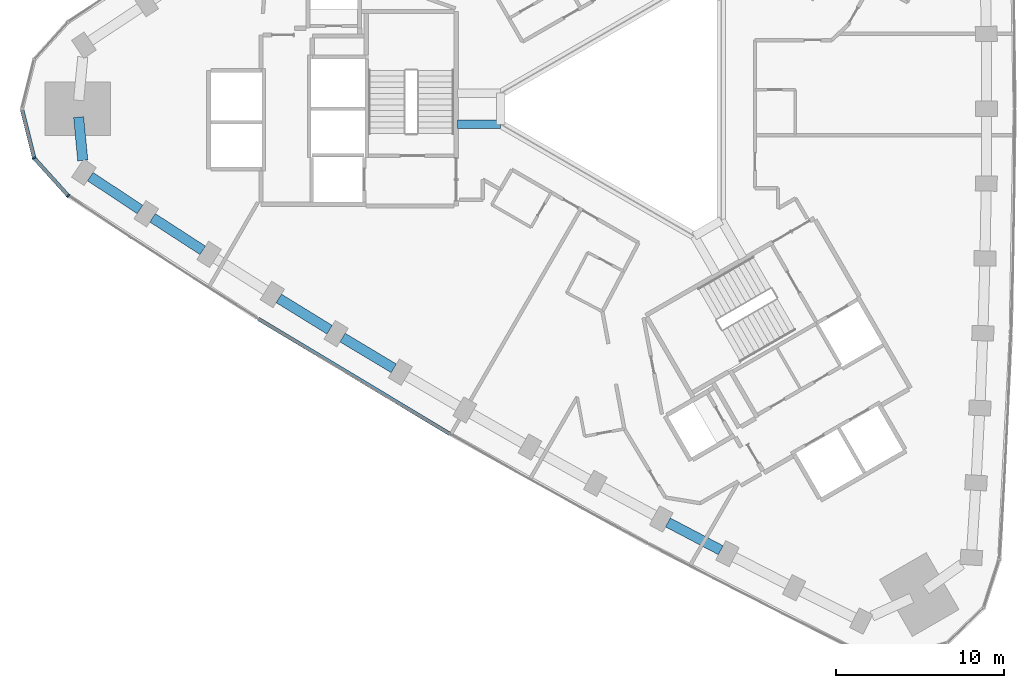
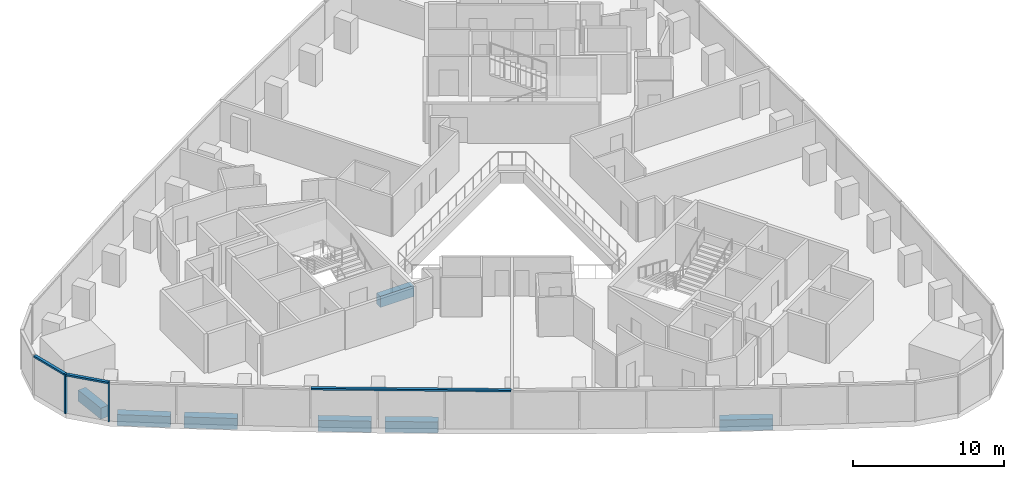
# One storey, part 2 of 12: 7 beams, 5 members, 2 elements without a shape of their own.
"""IFC4 building model written with IfcOpenShell, lengths in metres."""

from ifc_helpers import new_model, si_unit, direction, frame, origin, origin_2d, place, context, subcontext, project, spatial, rectangle, extrude, material, material_profile, profile_set, type_object, element, aggregate, save


model = new_model("IFC4")

# Units and contexts
model_context = context("Model", 3, precision=1e-05, world=origin(), true_north=direction((0.0, 1.0)))
body_context = subcontext(model_context, "Body", "Model", "MODEL_VIEW")
ifc_project = project(units=[si_unit("LENGTHUNIT", "METRE"), si_unit("AREAUNIT", "SQUARE_METRE"), si_unit("VOLUMEUNIT", "CUBIC_METRE"), si_unit("PLANEANGLEUNIT", "RADIAN"), si_unit("MASSUNIT", "GRAM", prefix="KILO")], contexts=[model_context])

# Site, building, storey
site_placement = place(None, origin())
site = spatial("IfcSite", under=ifc_project, at=site_placement, CompositionType="ELEMENT")
building_placement = place(site_placement, origin())
building = spatial("IfcBuilding", under=site, at=building_placement, Name="Tamra Quay Hotel Tower", CompositionType="ELEMENT")
storey_placement = place(building_placement, frame((0.0, 0.0, 115.39990234375)))
storey = spatial("IfcBuildingStorey", under=building, at=storey_placement, Name="L28", CompositionType="ELEMENT", Elevation=115.39990234375)

# Beam
ifc_material_1 = material(Name="Concrete M60", Category="concrete")
ifc_material_profile_1 = material_profile(ifc_material_1, rectangle(XDim=0.5, YDim=0.89990234375, at=origin_2d()), Name="ATRIUM TIE BEAM RC 500x900")
ifc_profile_set_1 = profile_set([ifc_material_profile_1], Name="Concrete M60")
beam_type_1 = type_object("IfcBeamType", Name="ATRIUM TIE BEAM RC 500x900", PredefinedType="BEAM", material=ifc_profile_set_1)
beam_1_placement = place(storey_placement, frame((-8.199951171875, -0.923828125, -0.875), z_axis=(-1.0, 0.0, 0.0), x_axis=(0.0, -1.0, 0.0)))
element("IfcBeam", 1, at=beam_1_placement, inside=storey, type_object=beam_type_1, Name="BM-TIE-3-L28", PredefinedType="BEAM", context=body_context, shape_type="SweptSolid", body=[
    extrude(rectangle(XDim=0.5, YDim=0.89990234375, at=origin_2d()), origin(), (0.0, 0.0, 1.0), 2.562255859375),
])

# Curtain wall, member
ifc_material_2 = material(Name="Aluminium 6063 anodised dark grey", Category="aluminium")
curtain_wall_type_1 = type_object("IfcCurtainWallType", Name="CW2 CURTAIN WALL", PredefinedType="NOTDEFINED", material=ifc_material_2)
curtain_wall_1_placement = place(storey_placement, origin())
curtain_wall_1 = element("IfcCurtainWall", 2, at=curtain_wall_1_placement, inside=storey, type_object=curtain_wall_type_1, Name="CW2 north-west face L28", PredefinedType="NOTDEFINED")
ifc_material_profile_2 = material_profile(ifc_material_2, rectangle(XDim=0.219970703125, YDim=0.10009765625, at=origin_2d()), Name="MULLION 100X220")
ifc_profile_set_2 = profile_set([ifc_material_profile_2], Name="Aluminium 6063 anodised dark grey")
member_type_1 = type_object("IfcMemberType", Name="MULLION CW2 Z2", PredefinedType="MULLION", material=ifc_profile_set_2)
member_1_placement = place(storey_placement, frame((-35.90673828125, -2.9267578125, 0.0), z_axis=(0.0, 0.0, 1.0), x_axis=(-0.882543846683, -0.47023011248, 0.0)))
member_1 = element("IfcMember", 3, at=member_1_placement, type_object=member_type_1, Name="CW2 mullion L28.NW.16", PredefinedType="MULLION", context=body_context, shape_type="SweptSolid", body=[
    extrude(rectangle(XDim=0.219970703125, YDim=0.10009765625, at=origin_2d()), origin(), (0.0, 0.0, 1.0), 3.2001953125),
])

curtain_wall_type_2 = type_object("IfcCurtainWallType", Name="CW3 CURTAIN WALL", PredefinedType="NOTDEFINED", material=ifc_material_2)
curtain_wall_2_placement = place(storey_placement, origin())
curtain_wall_2 = element("IfcCurtainWall", 4, at=curtain_wall_2_placement, inside=storey, type_object=curtain_wall_type_2, Name="CW3 south-west face L28", PredefinedType="NOTDEFINED")
ifc_material_profile_3 = material_profile(ifc_material_2, rectangle(XDim=0.219970703125, YDim=0.10009765625, at=origin_2d()), Name="MULLION 100X220")
ifc_profile_set_3 = profile_set([ifc_material_profile_3], Name="Aluminium 6063 anodised dark grey")
member_type_2 = type_object("IfcMemberType", Name="MULLION CW3 Z2", PredefinedType="MULLION", material=ifc_profile_set_3)
member_2_placement = place(storey_placement, frame((-33.88525390625, -5.166015625, 0.0), z_axis=(0.0, 0.0, 1.0), x_axis=(-0.652886907072, -0.757455402366, 0.0)))
member_2 = element("IfcMember", 5, at=member_2_placement, type_object=member_type_2, Name="CW3 mullion L28.SW.1", PredefinedType="MULLION", context=body_context, shape_type="SweptSolid", body=[
    extrude(rectangle(XDim=0.219970703125, YDim=0.10009765625, at=origin_2d()), origin(), (0.0, 0.0, 1.0), 3.2001953125),
])

# Beams
ifc_material_profile_4 = material_profile(ifc_material_1, rectangle(XDim=0.60009765625, YDim=0.89990234375, at=origin_2d()), Name="SPANDREL BEAM RC 600x900")
ifc_profile_set_4 = profile_set([ifc_material_profile_4], Name="Concrete M60")
beam_type_2 = type_object("IfcBeamType", Name="SPANDREL BEAM RC 600x900", PredefinedType="SPANDREL", material=ifc_profile_set_4)
beam_2_placement = place(storey_placement, frame((-33.26611328125, -0.497802734375, -0.875), z_axis=(0.09550001445, -0.995429428558, 0.0), x_axis=(0.995429428558, 0.09550001445, 0.0)))
element("IfcBeam", 6, at=beam_2_placement, inside=storey, type_object=beam_type_2, Name="BM-SP2-027-L28", PredefinedType="SPANDREL", context=body_context, shape_type="SweptSolid", body=[
    extrude(rectangle(XDim=0.60009765625, YDim=0.89990234375, at=origin_2d()), origin(), (0.0, 0.0, 1.0), 2.58447265625),
])
beam_3_placement = place(storey_placement, frame((-32.57666015625, -4.025390625, -0.875), z_axis=(0.832981511469, -0.55330082374, 0.0), x_axis=(0.55330082374, 0.832981511469, 0.0)))
element("IfcBeam", 7, at=beam_3_placement, inside=storey, type_object=beam_type_2, Name="BM-SP2-028-L28", PredefinedType="SPANDREL", context=body_context, shape_type="SweptSolid", body=[
    extrude(rectangle(XDim=0.60009765625, YDim=0.89990234375, at=origin_2d()), origin(), (0.0, 0.0, 1.0), 3.544921875),
])
beam_4_placement = place(storey_placement, frame((-28.87109375, -6.480712890625, -0.875), z_axis=(0.839237385713, -0.543765216266, 0.0), x_axis=(0.543765216266, 0.839237385713, 0.0)))
element("IfcBeam", 8, at=beam_4_placement, inside=storey, type_object=beam_type_2, Name="BM-SP2-029-L28", PredefinedType="SPANDREL", context=body_context, shape_type="SweptSolid", body=[
    extrude(rectangle(XDim=0.60009765625, YDim=0.89990234375, at=origin_2d()), origin(), (0.0, 0.0, 1.0), 3.544677734375),
])
beam_5_placement = place(storey_placement, frame((-21.3779296875, -11.263427734375, -0.875), z_axis=(0.851393361846, -0.524527733685, 0.0), x_axis=(0.524527733685, 0.851393361846, 0.0)))
element("IfcBeam", 9, at=beam_5_placement, inside=storey, type_object=beam_type_2, Name="BM-SP2-031-L28", PredefinedType="SPANDREL", context=body_context, shape_type="SweptSolid", body=[
    extrude(rectangle(XDim=0.60009765625, YDim=0.89990234375, at=origin_2d()), origin(), (0.0, 0.0, 1.0), 3.544921875),
])
for number, where, z_axis, x_axis, name in (
    (10, (-17.5908203125, -13.59033203125, -0.875), (0.857286231776, -0.514840088578, 0.0), (0.514840088578, 0.857286231776, 0.0), "BM-SP2-032-L28"),
    (11, (1.72900390625, -24.568603515625, -0.875), (0.885322773021, -0.464976975312, 0.0), (0.464976975312, 0.885322773021, 0.0), "BM-SP2-037-L28"),
):
    element("IfcBeam", number, at=place(storey_placement, frame(where, z_axis=z_axis, x_axis=x_axis)), inside=storey, type_object=beam_type_2, Name=name, PredefinedType="SPANDREL", context=body_context, shape_type="SweptSolid", body=[
        extrude(rectangle(XDim=0.60009765625, YDim=0.89990234375, at=origin_2d()), origin(), (0.0, 0.0, 1.0), 3.544677734375),
    ])

# Member
ifc_material_profile_5 = material_profile(ifc_material_2, rectangle(XDim=0.219970703125, YDim=0.139892578125, at=origin_2d()), Name="TRANSOM 220X140")
ifc_profile_set_5 = profile_set([ifc_material_profile_5], Name="Aluminium 6063 anodised dark grey")
member_type_3 = type_object("IfcMemberType", Name="TRANSOM CW2 Z2", PredefinedType="USERDEFINED", material=ifc_profile_set_5)
member_3_placement = place(storey_placement, frame((-36.62548828125, -0.048583984375, 3.130126953125), z_axis=(0.242338656789, -0.970191720963, 0.0), x_axis=(0.970191720963, 0.242338656789, 0.0)))
member_3 = element("IfcMember", 12, at=member_3_placement, type_object=member_type_3, Name="CW2 transom L28.NW.15", ObjectType="TRANSOM", PredefinedType="USERDEFINED", context=body_context, shape_type="SweptSolid", body=[
    extrude(rectangle(XDim=0.219970703125, YDim=0.139892578125, at=origin_2d()), origin(), (0.0, 0.0, 1.0), 2.91650390625),
])

member_4_placement = place(storey_placement, frame((-35.873046875, -2.9638671875, 3.130126953125), z_axis=(0.670064659649, -0.742302736011, 0.0), x_axis=(0.742302736011, 0.670064659649, 0.0)))
member_4 = element("IfcMember", 13, at=member_4_placement, type_object=member_type_3, Name="CW2 transom L28.NW.16", ObjectType="TRANSOM", PredefinedType="USERDEFINED", context=body_context, shape_type="SweptSolid", body=[
    extrude(rectangle(XDim=0.219970703125, YDim=0.139892578125, at=origin_2d()), origin(), (0.0, 0.0, 1.0), 2.916748046875),
])

aggregate(curtain_wall_1, [member_3, member_1, member_4])

ifc_material_profile_6 = material_profile(ifc_material_2, rectangle(XDim=0.219970703125, YDim=0.139892578125, at=origin_2d()), Name="TRANSOM 220X140")
ifc_profile_set_6 = profile_set([ifc_material_profile_6], Name="Aluminium 6063 anodised dark grey")
member_type_4 = type_object("IfcMemberType", Name="TRANSOM CW3 Z2", PredefinedType="USERDEFINED", material=ifc_profile_set_6)
member_5_placement = place(storey_placement, frame((-22.604736328125, -12.473876953125, 3.130126953125), z_axis=(0.857334050853, -0.514760454238, 0.0), x_axis=(0.514760454238, 0.857334050853, 0.0)))
member_5 = element("IfcMember", 14, at=member_5_placement, type_object=member_type_4, Name="CW3 transom L28.SW.4", ObjectType="TRANSOM", PredefinedType="USERDEFINED", context=body_context, shape_type="SweptSolid", body=[
    extrude(rectangle(XDim=0.219970703125, YDim=0.139892578125, at=origin_2d()), origin(), (0.0, 0.0, 1.0), 13.291259765625),
])

aggregate(curtain_wall_2, [member_2, member_5])

save(model, "model.ifc")
